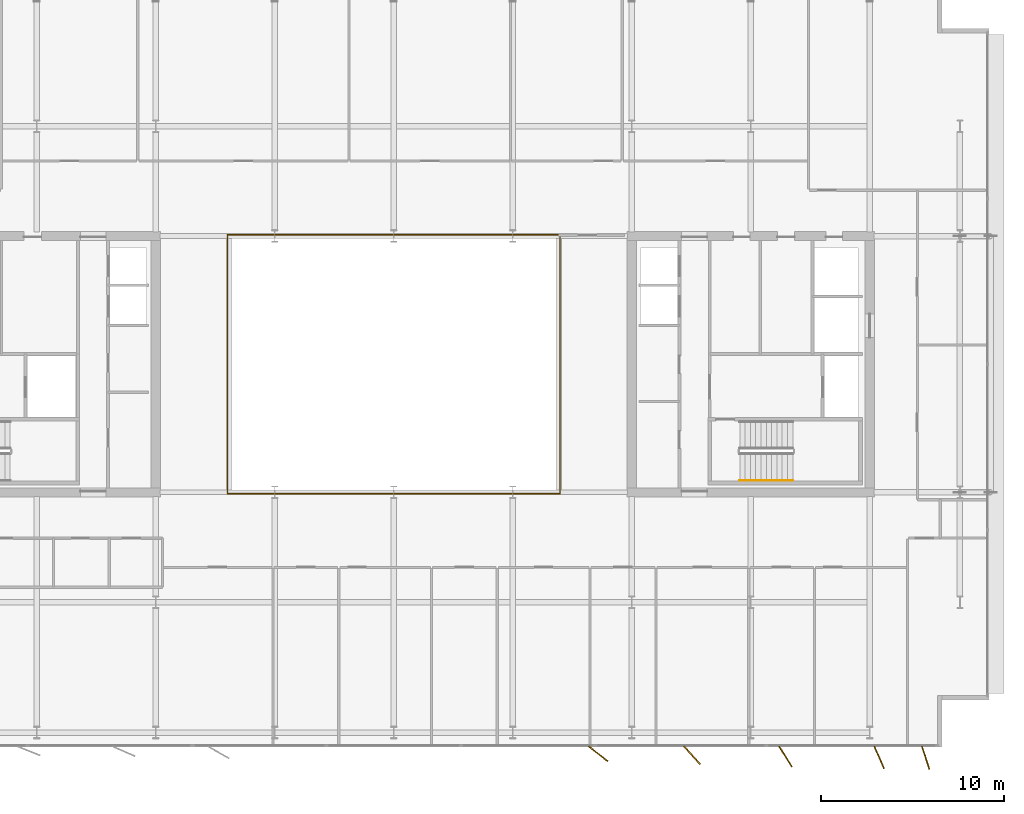
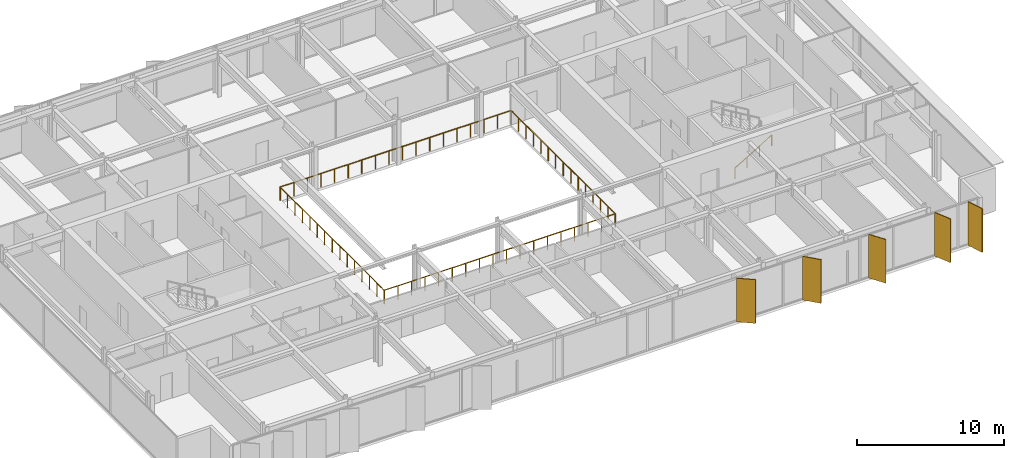
# One storey, part 18 of 20: 5 shading devices, 3 railings.
"""IFC4 building model written with IfcOpenShell, lengths in metres."""

from ifc_helpers import new_model, si_unit, direction, frame, origin, origin_2d, place, context, subcontext, project, spatial, rectangle, circle, extrude, material, layer, layer_set, type_object, element, save


model = new_model("IFC4")

# Units and contexts
model_context = context("Model", 3, precision=1e-05, world=origin(), true_north=direction((0.0, 1.0)))
body_context = subcontext(model_context, "Body", "Model", "MODEL_VIEW")
ifc_project = project(units=[si_unit("LENGTHUNIT", "METRE"), si_unit("AREAUNIT", "SQUARE_METRE"), si_unit("VOLUMEUNIT", "CUBIC_METRE"), si_unit("PLANEANGLEUNIT", "RADIAN"), si_unit("MASSUNIT", "GRAM", prefix="KILO")], contexts=[model_context])

# Site, building, storey
site_placement = place(None, origin())
site = spatial("IfcSite", under=ifc_project, at=site_placement, CompositionType="ELEMENT")
building_placement = place(site_placement, origin())
building = spatial("IfcBuilding", under=site, at=building_placement, Name="Putna Gate Headquarters", CompositionType="ELEMENT")
storey_placement = place(building_placement, frame((0.0, 0.0, 270.800048828125)))
storey = spatial("IfcBuildingStorey", under=building, at=storey_placement, Name="L68", CompositionType="ELEMENT", Elevation=270.800048828125)

# Railings
ifc_material_1 = material(Name="Anodised bronze and laminated glass atrium balustrade", Category="glass")
railing_type_1 = type_object("IfcRailingType", Name="RAIL-ATRIUM-GUARD-1150", PredefinedType="GUARDRAIL", material=ifc_material_1)
railing_1_placement = place(storey_placement, frame((29.919921875, 25.969970703125, 0.0)))
element("IfcRailing", 1, at=railing_1_placement, inside=storey, type_object=railing_type_1, Name="L68 Central Atrium Glazed Balustrade South", PredefinedType="GUARDRAIL", context=body_context, shape_type="SweptSolid", body=[
    extrude(circle(Radius=0.02392578125, at=origin_2d()), frame((0.0, 0.0, 1.1259765625), z_axis=(0.0, -1.0, 0.0), x_axis=(1.0, 0.0, 0.0)), (0.0, 0.0, 1.0), 7.050048828125),
    extrude(circle(Radius=0.02392578125, at=origin_2d()), frame((0.0, -7.050048828125, 1.1259765625), z_axis=(1.0, 0.0, 0.0), x_axis=(0.0, 1.0, 0.0)), (0.0, 0.0, 1.0), 18.16015625),
    extrude(circle(Radius=0.02392578125, at=origin_2d()), frame((18.16015625, -7.050048828125, 1.1259765625), z_axis=(0.0, 1.0, 0.0), x_axis=(-1.0, 0.0, 0.0)), (0.0, 0.0, 1.0), 7.050048828125),
    extrude(circle(Radius=0.02099609375, at=origin_2d()), origin(), (0.0, 0.0, 1.0), 1.101806640625),
    extrude(circle(Radius=0.02099609375, at=origin_2d()), frame((0.0, -1.007080078125, 0.0)), (0.0, 0.0, 1.0), 1.101806640625),
    extrude(circle(Radius=0.02099609375, at=origin_2d()), frame((0.0, -2.014404296875, 0.0)), (0.0, 0.0, 1.0), 1.101806640625),
    extrude(circle(Radius=0.02099609375, at=origin_2d()), frame((0.0, -3.021484375, 0.0)), (0.0, 0.0, 1.0), 1.101806640625),
    extrude(circle(Radius=0.02099609375, at=origin_2d()), frame((0.0, -4.028564453125, 0.0)), (0.0, 0.0, 1.0), 1.101806640625),
    extrude(circle(Radius=0.02099609375, at=origin_2d()), frame((0.0, -5.03564453125, 0.0)), (0.0, 0.0, 1.0), 1.101806640625),
    extrude(circle(Radius=0.02099609375, at=origin_2d()), frame((0.0, -6.04296875, 0.0)), (0.0, 0.0, 1.0), 1.101806640625),
    extrude(circle(Radius=0.02099609375, at=origin_2d()), frame((0.0, -7.050048828125, 0.0)), (0.0, 0.0, 1.0), 1.101806640625),
    extrude(circle(Radius=0.02099609375, at=origin_2d()), frame((1.068359375, -7.050048828125, 0.0)), (0.0, 0.0, 1.0), 1.101806640625),
    extrude(circle(Radius=0.02099609375, at=origin_2d()), frame((2.136474609375, -7.050048828125, 0.0)), (0.0, 0.0, 1.0), 1.101806640625),
    extrude(circle(Radius=0.02099609375, at=origin_2d()), frame((3.204833984375, -7.050048828125, 0.0)), (0.0, 0.0, 1.0), 1.101806640625),
    extrude(circle(Radius=0.02099609375, at=origin_2d()), frame((4.27294921875, -7.050048828125, 0.0)), (0.0, 0.0, 1.0), 1.101806640625),
    extrude(circle(Radius=0.02099609375, at=origin_2d()), frame((5.34130859375, -7.050048828125, 0.0)), (0.0, 0.0, 1.0), 1.101806640625),
    extrude(circle(Radius=0.02099609375, at=origin_2d()), frame((6.409423828125, -7.050048828125, 0.0)), (0.0, 0.0, 1.0), 1.101806640625),
    extrude(circle(Radius=0.02099609375, at=origin_2d()), frame((7.477783203125, -7.050048828125, 0.0)), (0.0, 0.0, 1.0), 1.101806640625),
    extrude(circle(Radius=0.02099609375, at=origin_2d()), frame((8.5458984375, -7.050048828125, 0.0)), (0.0, 0.0, 1.0), 1.101806640625),
    extrude(circle(Radius=0.02099609375, at=origin_2d()), frame((9.6142578125, -7.050048828125, 0.0)), (0.0, 0.0, 1.0), 1.101806640625),
    extrude(circle(Radius=0.02099609375, at=origin_2d()), frame((10.682373046875, -7.050048828125, 0.0)), (0.0, 0.0, 1.0), 1.101806640625),
    extrude(circle(Radius=0.02099609375, at=origin_2d()), frame((11.750732421875, -7.050048828125, 0.0)), (0.0, 0.0, 1.0), 1.101806640625),
    extrude(circle(Radius=0.02099609375, at=origin_2d()), frame((12.81884765625, -7.050048828125, 0.0)), (0.0, 0.0, 1.0), 1.101806640625),
    extrude(circle(Radius=0.02099609375, at=origin_2d()), frame((13.88720703125, -7.050048828125, 0.0)), (0.0, 0.0, 1.0), 1.101806640625),
    extrude(circle(Radius=0.02099609375, at=origin_2d()), frame((14.955322265625, -7.050048828125, 0.0)), (0.0, 0.0, 1.0), 1.101806640625),
    extrude(circle(Radius=0.02099609375, at=origin_2d()), frame((16.023681640625, -7.050048828125, 0.0)), (0.0, 0.0, 1.0), 1.101806640625),
    extrude(circle(Radius=0.02099609375, at=origin_2d()), frame((17.091796875, -7.050048828125, 0.0)), (0.0, 0.0, 1.0), 1.101806640625),
    extrude(circle(Radius=0.02099609375, at=origin_2d()), frame((18.16015625, -7.050048828125, 0.0)), (0.0, 0.0, 1.0), 1.101806640625),
    extrude(circle(Radius=0.02099609375, at=origin_2d()), frame((18.16015625, -6.04296875, 0.0)), (0.0, 0.0, 1.0), 1.101806640625),
    extrude(circle(Radius=0.02099609375, at=origin_2d()), frame((18.16015625, -5.03564453125, 0.0)), (0.0, 0.0, 1.0), 1.101806640625),
    extrude(circle(Radius=0.02099609375, at=origin_2d()), frame((18.16015625, -4.028564453125, 0.0)), (0.0, 0.0, 1.0), 1.101806640625),
    extrude(circle(Radius=0.02099609375, at=origin_2d()), frame((18.16015625, -3.021484375, 0.0)), (0.0, 0.0, 1.0), 1.101806640625),
    extrude(circle(Radius=0.02099609375, at=origin_2d()), frame((18.16015625, -2.014404296875, 0.0)), (0.0, 0.0, 1.0), 1.101806640625),
    extrude(circle(Radius=0.02099609375, at=origin_2d()), frame((18.16015625, -1.007080078125, 0.0)), (0.0, 0.0, 1.0), 1.101806640625),
    extrude(circle(Radius=0.02099609375, at=origin_2d()), frame((18.16015625, 0.0, 0.0)), (0.0, 0.0, 1.0), 1.101806640625),
])
railing_2_placement = place(storey_placement, frame((48.080078125, 26.030029296875, 0.0)))
element("IfcRailing", 2, at=railing_2_placement, inside=storey, type_object=railing_type_1, Name="L68 Central Atrium Glazed Balustrade North", PredefinedType="GUARDRAIL", context=body_context, shape_type="SweptSolid", body=[
    extrude(circle(Radius=0.02392578125, at=origin_2d()), frame((0.0, 0.0, 1.1259765625), z_axis=(0.0, 1.0, 0.0), x_axis=(-1.0, 0.0, 0.0)), (0.0, 0.0, 1.0), 7.050048828125),
    extrude(circle(Radius=0.02392578125, at=origin_2d()), frame((0.0, 7.050048828125, 1.1259765625), z_axis=(-1.0, 0.0, 0.0), x_axis=(0.0, -1.0, 0.0)), (0.0, 0.0, 1.0), 18.16015625),
    extrude(circle(Radius=0.02392578125, at=origin_2d()), frame((-18.16015625, 7.050048828125, 1.1259765625), z_axis=(0.0, -1.0, 0.0), x_axis=(1.0, 0.0, 0.0)), (0.0, 0.0, 1.0), 7.050048828125),
    extrude(circle(Radius=0.02099609375, at=origin_2d()), origin(), (0.0, 0.0, 1.0), 1.101806640625),
    extrude(circle(Radius=0.02099609375, at=origin_2d()), frame((0.0, 1.007080078125, 0.0)), (0.0, 0.0, 1.0), 1.101806640625),
    extrude(circle(Radius=0.02099609375, at=origin_2d()), frame((0.0, 2.014404296875, 0.0)), (0.0, 0.0, 1.0), 1.101806640625),
    extrude(circle(Radius=0.02099609375, at=origin_2d()), frame((0.0, 3.021484375, 0.0)), (0.0, 0.0, 1.0), 1.101806640625),
    extrude(circle(Radius=0.02099609375, at=origin_2d()), frame((0.0, 4.028564453125, 0.0)), (0.0, 0.0, 1.0), 1.101806640625),
    extrude(circle(Radius=0.02099609375, at=origin_2d()), frame((0.0, 5.03564453125, 0.0)), (0.0, 0.0, 1.0), 1.101806640625),
    extrude(circle(Radius=0.02099609375, at=origin_2d()), frame((0.0, 6.04296875, 0.0)), (0.0, 0.0, 1.0), 1.101806640625),
    extrude(circle(Radius=0.02099609375, at=origin_2d()), frame((0.0, 7.050048828125, 0.0)), (0.0, 0.0, 1.0), 1.101806640625),
    extrude(circle(Radius=0.02099609375, at=origin_2d()), frame((-1.068359375, 7.050048828125, 0.0)), (0.0, 0.0, 1.0), 1.101806640625),
    extrude(circle(Radius=0.02099609375, at=origin_2d()), frame((-2.136474609375, 7.050048828125, 0.0)), (0.0, 0.0, 1.0), 1.101806640625),
    extrude(circle(Radius=0.02099609375, at=origin_2d()), frame((-3.204833984375, 7.050048828125, 0.0)), (0.0, 0.0, 1.0), 1.101806640625),
    extrude(circle(Radius=0.02099609375, at=origin_2d()), frame((-4.27294921875, 7.050048828125, 0.0)), (0.0, 0.0, 1.0), 1.101806640625),
    extrude(circle(Radius=0.02099609375, at=origin_2d()), frame((-5.34130859375, 7.050048828125, 0.0)), (0.0, 0.0, 1.0), 1.101806640625),
    extrude(circle(Radius=0.02099609375, at=origin_2d()), frame((-6.409423828125, 7.050048828125, 0.0)), (0.0, 0.0, 1.0), 1.101806640625),
    extrude(circle(Radius=0.02099609375, at=origin_2d()), frame((-7.477783203125, 7.050048828125, 0.0)), (0.0, 0.0, 1.0), 1.101806640625),
    extrude(circle(Radius=0.02099609375, at=origin_2d()), frame((-8.5458984375, 7.050048828125, 0.0)), (0.0, 0.0, 1.0), 1.101806640625),
    extrude(circle(Radius=0.02099609375, at=origin_2d()), frame((-9.6142578125, 7.050048828125, 0.0)), (0.0, 0.0, 1.0), 1.101806640625),
    extrude(circle(Radius=0.02099609375, at=origin_2d()), frame((-10.682373046875, 7.050048828125, 0.0)), (0.0, 0.0, 1.0), 1.101806640625),
    extrude(circle(Radius=0.02099609375, at=origin_2d()), frame((-11.750732421875, 7.050048828125, 0.0)), (0.0, 0.0, 1.0), 1.101806640625),
    extrude(circle(Radius=0.02099609375, at=origin_2d()), frame((-12.81884765625, 7.050048828125, 0.0)), (0.0, 0.0, 1.0), 1.101806640625),
    extrude(circle(Radius=0.02099609375, at=origin_2d()), frame((-13.88720703125, 7.050048828125, 0.0)), (0.0, 0.0, 1.0), 1.101806640625),
    extrude(circle(Radius=0.02099609375, at=origin_2d()), frame((-14.955322265625, 7.050048828125, 0.0)), (0.0, 0.0, 1.0), 1.101806640625),
    extrude(circle(Radius=0.02099609375, at=origin_2d()), frame((-16.023681640625, 7.050048828125, 0.0)), (0.0, 0.0, 1.0), 1.101806640625),
    extrude(circle(Radius=0.02099609375, at=origin_2d()), frame((-17.091796875, 7.050048828125, 0.0)), (0.0, 0.0, 1.0), 1.101806640625),
    extrude(circle(Radius=0.02099609375, at=origin_2d()), frame((-18.16015625, 7.050048828125, 0.0)), (0.0, 0.0, 1.0), 1.101806640625),
    extrude(circle(Radius=0.02099609375, at=origin_2d()), frame((-18.16015625, 6.04296875, 0.0)), (0.0, 0.0, 1.0), 1.101806640625),
    extrude(circle(Radius=0.02099609375, at=origin_2d()), frame((-18.16015625, 5.03564453125, 0.0)), (0.0, 0.0, 1.0), 1.101806640625),
    extrude(circle(Radius=0.02099609375, at=origin_2d()), frame((-18.16015625, 4.028564453125, 0.0)), (0.0, 0.0, 1.0), 1.101806640625),
    extrude(circle(Radius=0.02099609375, at=origin_2d()), frame((-18.16015625, 3.021484375, 0.0)), (0.0, 0.0, 1.0), 1.101806640625),
    extrude(circle(Radius=0.02099609375, at=origin_2d()), frame((-18.16015625, 2.014404296875, 0.0)), (0.0, 0.0, 1.0), 1.101806640625),
    extrude(circle(Radius=0.02099609375, at=origin_2d()), frame((-18.16015625, 1.007080078125, 0.0)), (0.0, 0.0, 1.0), 1.101806640625),
    extrude(circle(Radius=0.02099609375, at=origin_2d()), frame((-18.16015625, 0.0, 0.0)), (0.0, 0.0, 1.0), 1.101806640625),
])
ifc_material_2 = material(Name="Brushed stainless steel handrail", Category="steel")
railing_type_2 = type_object("IfcRailingType", Name="RAIL-STAIR-HAND-900", PredefinedType="HANDRAIL", material=ifc_material_2)
railing_3_placement = place(storey_placement, frame((57.89990234375, 19.64990234375, 0.172607421875)))
element("IfcRailing", 3, at=railing_3_placement, inside=storey, type_object=railing_type_2, Name="L68 ST2 stair handrail 1", PredefinedType="HANDRAIL", context=body_context, shape_type="SweptSolid", body=[
    extrude(circle(Radius=0.02392578125, at=origin_2d()), frame((0.0, 0.0, 0.8759765625), z_axis=(0.859160404282, 0.0, 0.51170636083), x_axis=(0.0, 1.0, 0.0)), (0.0, 0.0, 1.0), 3.37548828125),
    extrude(circle(Radius=0.02099609375, at=origin_2d()), origin(), (0.0, 0.0, 1.0), 0.851806640625),
    extrude(circle(Radius=0.02099609375, at=origin_2d()), frame((0.966796875, 0.0, 0.57568359375)), (0.0, 0.0, 1.0), 0.851806640625),
    extrude(circle(Radius=0.02099609375, at=origin_2d()), frame((1.933349609375, 0.0, 1.151611328125)), (0.0, 0.0, 1.0), 0.851806640625),
    extrude(circle(Radius=0.02099609375, at=origin_2d()), frame((2.900146484375, 0.0, 1.727294921875)), (0.0, 0.0, 1.0), 0.851806640625),
])

# Shading devices
ifc_material_3 = material(Name="Anodised architectural bronze aluminium fin", Category="aluminium")
ifc_layer = layer(ifc_material_3, 0.06494140625)
ifc_layer_set = layer_set([ifc_layer], Name="Anodised architectural bronze aluminium fin")
shading_device_type = type_object("IfcShadingDeviceType", Name="SHADE-BRONZE-FIN-1320", PredefinedType="USERDEFINED", material=ifc_layer_set)
for number, where, z_axis, x_axis, name in (
    (4, (50.169677734375, 4.71826171875, -0.02001953125), (0.0, 0.0, 1.0), (0.787473187632, -0.616348909921, 0.0), "L68 Bronze Vertical Shading Fin S7"),
    (5, (55.29150390625, 4.634521484375, -0.02001953125), (0.0, 0.0, 1.0), (0.669130606359, -0.743144825477, 0.0), "L68 Bronze Vertical Shading Fin S8"),
    (6, (60.400146484375, 4.565673828125, -0.02001953125), (0.0, 0.0, 1.0), (0.530659123936, -0.847585331506, 0.0), "L68 Bronze Vertical Shading Fin S9"),
    (7, (65.514404296875, 4.520263671875, -0.02001953125), (0.0, 0.0, 1.0), (0.400668879095, -0.916222925562, 0.0), "L68 Bronze Vertical Shading Fin S10"),
    (8, (68.0537109375, 4.497314453125, -0.02001953125), (0.0, 0.0, 1.0), (0.308684994204, -0.951164325631, 0.0), "L68 Bronze Vertical Shading Fin S11"),
):
    element("IfcShadingDevice", number, at=place(storey_placement, frame(where, z_axis=z_axis, x_axis=x_axis)), inside=storey, type_object=shading_device_type, Name=name, ObjectType="FIN", PredefinedType="USERDEFINED", context=body_context, shape_type="SweptSolid", body=[
        extrude(rectangle(XDim=1.320068359375, YDim=0.06494140625, at=origin_2d()), origin(), (0.0, 0.0, 1.0), 3.6279296875),
    ])

save(model, "model.ifc")
